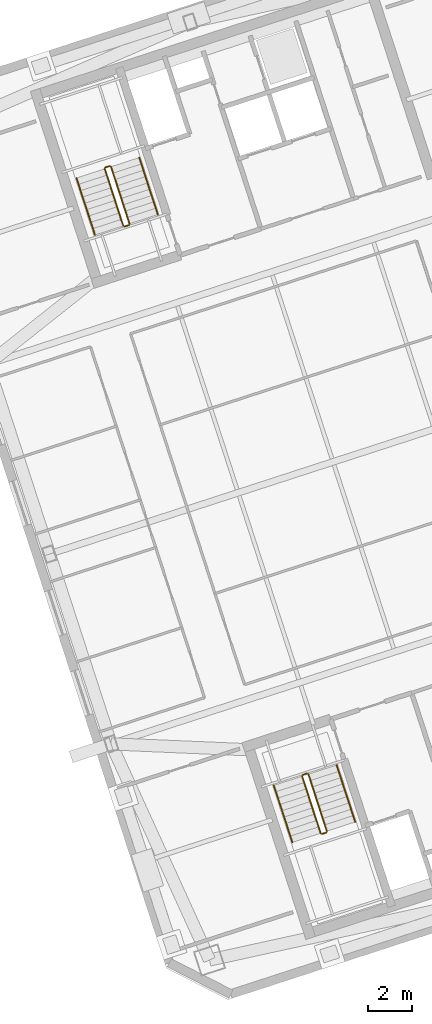
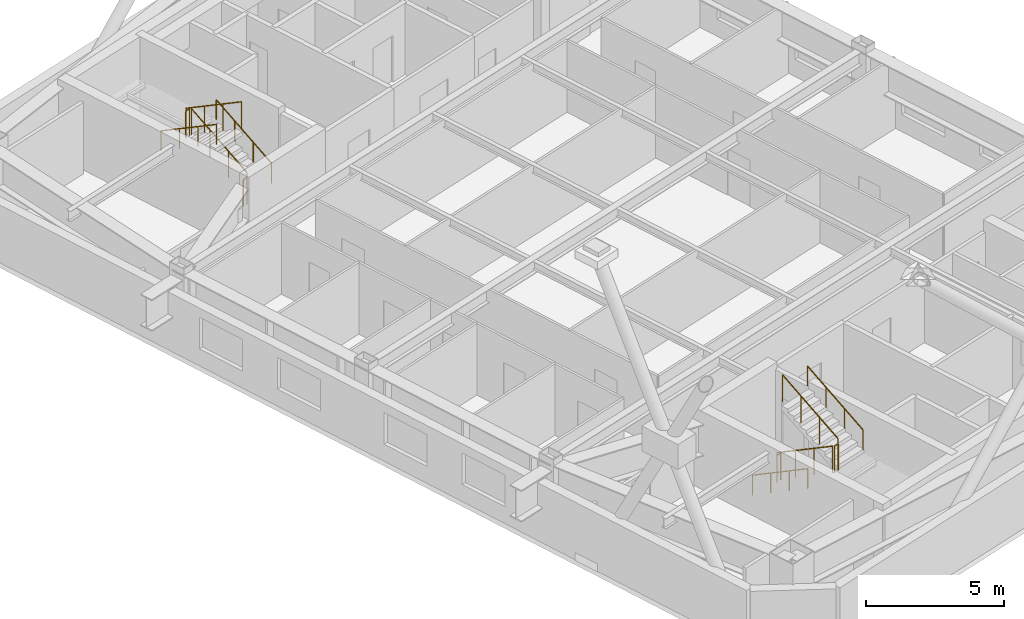
# One storey, part 14 of 15: 12 railings.
"""IFC4 building model written with IfcOpenShell, lengths in metres."""

from ifc_helpers import new_model, si_unit, direction, frame, origin, origin_2d, place, context, subcontext, project, spatial, circle, extrude, material, type_object, element, save


model = new_model("IFC4")

# Units and contexts
model_context = context("Model", 3, precision=1e-05, world=origin(), true_north=direction((0.0, 1.0)))
body_context = subcontext(model_context, "Body", "Model", "MODEL_VIEW")
ifc_project = project(units=[si_unit("LENGTHUNIT", "METRE"), si_unit("AREAUNIT", "SQUARE_METRE"), si_unit("VOLUMEUNIT", "CUBIC_METRE"), si_unit("PLANEANGLEUNIT", "RADIAN"), si_unit("MASSUNIT", "GRAM", prefix="KILO")], contexts=[model_context])

# Site, building, storey
site_placement = place(None, origin())
site = spatial("IfcSite", under=ifc_project, at=site_placement, CompositionType="ELEMENT")
building_placement = place(site_placement, origin())
building = spatial("IfcBuilding", under=site, at=building_placement, Name="Qiaolan Cultural Towers", CompositionType="ELEMENT")
storey_placement = place(building_placement, frame((0.0, 0.0, 212.75)))
storey = spatial("IfcBuildingStorey", under=building, at=storey_placement, Name="L57", CompositionType="ELEMENT", Elevation=212.75)

# Railings
ifc_material_1 = material(Name="Galvanized Painted Steel Stair Guardrail", Category="steel")
railing_type_1 = type_object("IfcRailingType", Name="RL-STAIR-GRD", PredefinedType="GUARDRAIL", material=ifc_material_1)
railing_1_placement = place(storey_placement, frame((88.60205078125, 19.82421875, 0.172607421875)))
element("IfcRailing", 1, at=railing_1_placement, inside=storey, type_object=railing_type_1, Name="L57 ST-E1 stair guard 1", PredefinedType="GUARDRAIL", context=body_context, shape_type="SweptSolid", body=[
    extrude(circle(Radius=0.02392578125, at=origin_2d()), frame((0.0, 0.0, 1.17578125), z_axis=(0.267925668498, -0.824471088726, 0.498460891159), x_axis=(0.951043371037, 0.309057448393, 0.0)), (0.0, 0.0, 1.0), 3.114501953125),
    extrude(circle(Radius=0.02099609375, at=origin_2d()), origin(), (0.0, 0.0, 1.0), 1.15185546875),
    extrude(circle(Radius=0.02099609375, at=origin_2d()), frame((0.278076171875, -0.85595703125, 0.517578125)), (0.0, 0.0, 1.0), 1.15185546875),
    extrude(circle(Radius=0.02099609375, at=origin_2d()), frame((0.556396484375, -1.7119140625, 1.034912109375)), (0.0, 0.0, 1.0), 1.15185546875),
    extrude(circle(Radius=0.02099609375, at=origin_2d()), frame((0.83447265625, -2.56787109375, 1.552490234375)), (0.0, 0.0, 1.0), 1.15185546875),
])
railing_2_placement = place(storey_placement, frame((89.49951171875, 17.224365234375, 1.72509765625)))
element("IfcRailing", 2, at=railing_2_placement, inside=storey, type_object=railing_type_1, Name="L57 ST-E1 stair guard 2", PredefinedType="GUARDRAIL", context=body_context, shape_type="SweptSolid", body=[
    extrude(circle(Radius=0.02392578125, at=origin_2d()), frame((0.0, 0.0, 1.17578125), z_axis=(0.951096855055, 0.308892816854, 0.0), x_axis=(-0.308892816854, 0.951096855055, 0.0)), (0.0, 0.0, 1.0), 0.199951171875),
    extrude(circle(Radius=0.02099609375, at=origin_2d()), origin(), (0.0, 0.0, 1.0), 1.15185546875),
    extrude(circle(Radius=0.02099609375, at=origin_2d()), frame((0.190185546875, 0.061767578125, 0.0)), (0.0, 0.0, 1.0), 1.15185546875),
])
railing_3_placement = place(storey_placement, frame((89.721923828125, 17.34912109375, 1.8974609375)))
element("IfcRailing", 3, at=railing_3_placement, inside=storey, type_object=railing_type_1, Name="L57 ST-E1 stair guard 3", PredefinedType="GUARDRAIL", context=body_context, shape_type="SweptSolid", body=[
    extrude(circle(Radius=0.02392578125, at=origin_2d()), frame((0.0, 0.0, 1.17578125), z_axis=(-0.267925668498, 0.824471088726, 0.498460891159), x_axis=(-0.951043371037, -0.309057448393, 0.0)), (0.0, 0.0, 1.0), 3.114501953125),
    extrude(circle(Radius=0.02099609375, at=origin_2d()), origin(), (0.0, 0.0, 1.0), 1.15185546875),
    extrude(circle(Radius=0.02099609375, at=origin_2d()), frame((-0.278076171875, 0.85595703125, 0.517578125)), (0.0, 0.0, 1.0), 1.15185546875),
    extrude(circle(Radius=0.02099609375, at=origin_2d()), frame((-0.556396484375, 1.7119140625, 1.034912109375)), (0.0, 0.0, 1.0), 1.15185546875),
    extrude(circle(Radius=0.02099609375, at=origin_2d()), frame((-0.83447265625, 2.56787109375, 1.552490234375)), (0.0, 0.0, 1.0), 1.15185546875),
])
railing_4_placement = place(storey_placement, frame((88.63427734375, 19.88720703125, 0.0)))
element("IfcRailing", 4, at=railing_4_placement, inside=storey, type_object=railing_type_1, Name="L57 ST-E1 stair guard 4", PredefinedType="GUARDRAIL", context=body_context, shape_type="SweptSolid", body=[
    extrude(circle(Radius=0.02392578125, at=origin_2d()), frame((0.0, 0.0, 1.17578125), z_axis=(0.951096855055, 0.308892816854, 0.0), x_axis=(-0.308892816854, 0.951096855055, 0.0)), (0.0, 0.0, 1.0), 0.199951171875),
    extrude(circle(Radius=0.02099609375, at=origin_2d()), origin(), (0.0, 0.0, 1.0), 1.15185546875),
    extrude(circle(Radius=0.02099609375, at=origin_2d()), frame((0.190185546875, 0.061767578125, 0.0)), (0.0, 0.0, 1.0), 1.15185546875),
])
railing_5_placement = place(storey_placement, frame((80.822021484375, 44.739501953125, 0.172607421875)))
element("IfcRailing", 5, at=railing_5_placement, inside=storey, type_object=railing_type_1, Name="L57 ST-E2 stair guard 1", PredefinedType="GUARDRAIL", context=body_context, shape_type="SweptSolid", body=[
    extrude(circle(Radius=0.02392578125, at=origin_2d()), frame((0.0, 0.0, 1.17578125), z_axis=(-0.26785290645, 0.824488402118, 0.498471358535), x_axis=(-0.951069945308, -0.308975661068, 0.0)), (0.0, 0.0, 1.0), 3.114501953125),
    extrude(circle(Radius=0.02099609375, at=origin_2d()), origin(), (0.0, 0.0, 1.0), 1.15185546875),
    extrude(circle(Radius=0.02099609375, at=origin_2d()), frame((-0.278076171875, 0.85595703125, 0.517578125)), (0.0, 0.0, 1.0), 1.15185546875),
    extrude(circle(Radius=0.02099609375, at=origin_2d()), frame((-0.55615234375, 1.7119140625, 1.034912109375)), (0.0, 0.0, 1.0), 1.15185546875),
    extrude(circle(Radius=0.02099609375, at=origin_2d()), frame((-0.834228515625, 2.56787109375, 1.552490234375)), (0.0, 0.0, 1.0), 1.15185546875),
])
railing_6_placement = place(storey_placement, frame((79.9248046875, 47.33935546875, 1.72509765625)))
element("IfcRailing", 6, at=railing_6_placement, inside=storey, type_object=railing_type_1, Name="L57 ST-E2 stair guard 2", PredefinedType="GUARDRAIL", context=body_context, shape_type="SweptSolid", body=[
    extrude(circle(Radius=0.02392578125, at=origin_2d()), frame((0.0, 0.0, 1.17578125), z_axis=(-0.951096855055, -0.308892816854, 0.0), x_axis=(0.308892816854, -0.951096855055, 0.0)), (0.0, 0.0, 1.0), 0.199951171875),
    extrude(circle(Radius=0.02099609375, at=origin_2d()), origin(), (0.0, 0.0, 1.0), 1.15185546875),
    extrude(circle(Radius=0.02099609375, at=origin_2d()), frame((-0.190185546875, -0.061767578125, 0.0)), (0.0, 0.0, 1.0), 1.15185546875),
])
railing_7_placement = place(storey_placement, frame((79.702392578125, 47.214599609375, 1.8974609375)))
element("IfcRailing", 7, at=railing_7_placement, inside=storey, type_object=railing_type_1, Name="L57 ST-E2 stair guard 3", PredefinedType="GUARDRAIL", context=body_context, shape_type="SweptSolid", body=[
    extrude(circle(Radius=0.02392578125, at=origin_2d()), frame((0.0, 0.0, 1.17578125), z_axis=(0.267925668498, -0.824471088726, 0.498460891159), x_axis=(0.951043371037, 0.309057448393, 0.0)), (0.0, 0.0, 1.0), 3.114501953125),
    extrude(circle(Radius=0.02099609375, at=origin_2d()), origin(), (0.0, 0.0, 1.0), 1.15185546875),
    extrude(circle(Radius=0.02099609375, at=origin_2d()), frame((0.278076171875, -0.85595703125, 0.517578125)), (0.0, 0.0, 1.0), 1.15185546875),
    extrude(circle(Radius=0.02099609375, at=origin_2d()), frame((0.556396484375, -1.7119140625, 1.034912109375)), (0.0, 0.0, 1.0), 1.15185546875),
    extrude(circle(Radius=0.02099609375, at=origin_2d()), frame((0.83447265625, -2.56787109375, 1.552490234375)), (0.0, 0.0, 1.0), 1.15185546875),
])
railing_8_placement = place(storey_placement, frame((80.7900390625, 44.676513671875, 0.0)))
element("IfcRailing", 8, at=railing_8_placement, inside=storey, type_object=railing_type_1, Name="L57 ST-E2 stair guard 4", PredefinedType="GUARDRAIL", context=body_context, shape_type="SweptSolid", body=[
    extrude(circle(Radius=0.02392578125, at=origin_2d()), frame((0.0, 0.0, 1.17578125), z_axis=(-0.951096855055, -0.308892816854, 0.0), x_axis=(0.308892816854, -0.951096855055, 0.0)), (0.0, 0.0, 1.0), 0.199951171875),
    extrude(circle(Radius=0.02099609375, at=origin_2d()), origin(), (0.0, 0.0, 1.0), 1.15185546875),
    extrude(circle(Radius=0.02099609375, at=origin_2d()), frame((-0.190185546875, -0.061767578125, 0.0)), (0.0, 0.0, 1.0), 1.15185546875),
])
ifc_material_2 = material(Name="Stainless Steel S30408 Tubular Handrail", Category="steel")
railing_type_2 = type_object("IfcRailingType", Name="RL-STAIR-HR", PredefinedType="HANDRAIL", material=ifc_material_2)
railing_9_placement = place(storey_placement, frame((87.32763671875, 19.41015625, 0.172607421875)))
element("IfcRailing", 9, at=railing_9_placement, inside=storey, type_object=railing_type_2, Name="L57 ST-E1 stair handrail 1", PredefinedType="HANDRAIL", context=body_context, shape_type="SweptSolid", body=[
    extrude(circle(Radius=0.02392578125, at=origin_2d()), frame((0.0, 0.0, 0.8759765625), z_axis=(0.267925668498, -0.824471088726, 0.498460891159), x_axis=(0.951043371037, 0.309057448393, 0.0)), (0.0, 0.0, 1.0), 3.114501953125),
    extrude(circle(Radius=0.02099609375, at=origin_2d()), origin(), (0.0, 0.0, 1.0), 0.851806640625),
    extrude(circle(Radius=0.02099609375, at=origin_2d()), frame((0.278076171875, -0.85595703125, 0.517578125)), (0.0, 0.0, 1.0), 0.851806640625),
    extrude(circle(Radius=0.02099609375, at=origin_2d()), frame((0.556396484375, -1.7119140625, 1.034912109375)), (0.0, 0.0, 1.0), 0.851806640625),
    extrude(circle(Radius=0.02099609375, at=origin_2d()), frame((0.83447265625, -2.56787109375, 1.552490234375)), (0.0, 0.0, 1.0), 0.851806640625),
])
railing_10_placement = place(storey_placement, frame((90.996337890625, 17.76318359375, 1.8974609375)))
element("IfcRailing", 10, at=railing_10_placement, inside=storey, type_object=railing_type_2, Name="L57 ST-E1 stair handrail 2", PredefinedType="HANDRAIL", context=body_context, shape_type="SweptSolid", body=[
    extrude(circle(Radius=0.02392578125, at=origin_2d()), frame((0.0, 0.0, 0.8759765625), z_axis=(-0.267925668498, 0.824471088726, 0.498460891159), x_axis=(-0.951043371037, -0.309057448393, 0.0)), (0.0, 0.0, 1.0), 3.114501953125),
    extrude(circle(Radius=0.02099609375, at=origin_2d()), origin(), (0.0, 0.0, 1.0), 0.851806640625),
    extrude(circle(Radius=0.02099609375, at=origin_2d()), frame((-0.278076171875, 0.85595703125, 0.517578125)), (0.0, 0.0, 1.0), 0.851806640625),
    extrude(circle(Radius=0.02099609375, at=origin_2d()), frame((-0.556396484375, 1.7119140625, 1.034912109375)), (0.0, 0.0, 1.0), 0.851806640625),
    extrude(circle(Radius=0.02099609375, at=origin_2d()), frame((-0.83447265625, 2.56787109375, 1.552490234375)), (0.0, 0.0, 1.0), 0.851806640625),
])
railing_11_placement = place(storey_placement, frame((82.096435546875, 45.153564453125, 0.172607421875)))
element("IfcRailing", 11, at=railing_11_placement, inside=storey, type_object=railing_type_2, Name="L57 ST-E2 stair handrail 1", PredefinedType="HANDRAIL", context=body_context, shape_type="SweptSolid", body=[
    extrude(circle(Radius=0.02392578125, at=origin_2d()), frame((0.0, 0.0, 0.8759765625), z_axis=(-0.26785290645, 0.824488402118, 0.498471358535), x_axis=(-0.951069945308, -0.308975661068, 0.0)), (0.0, 0.0, 1.0), 3.114501953125),
    extrude(circle(Radius=0.02099609375, at=origin_2d()), origin(), (0.0, 0.0, 1.0), 0.851806640625),
    extrude(circle(Radius=0.02099609375, at=origin_2d()), frame((-0.278076171875, 0.85595703125, 0.517578125)), (0.0, 0.0, 1.0), 0.851806640625),
    extrude(circle(Radius=0.02099609375, at=origin_2d()), frame((-0.55615234375, 1.7119140625, 1.034912109375)), (0.0, 0.0, 1.0), 0.851806640625),
    extrude(circle(Radius=0.02099609375, at=origin_2d()), frame((-0.834228515625, 2.56787109375, 1.552490234375)), (0.0, 0.0, 1.0), 0.851806640625),
])
railing_12_placement = place(storey_placement, frame((78.427978515625, 46.800537109375, 1.8974609375)))
element("IfcRailing", 12, at=railing_12_placement, inside=storey, type_object=railing_type_2, Name="L57 ST-E2 stair handrail 2", PredefinedType="HANDRAIL", context=body_context, shape_type="SweptSolid", body=[
    extrude(circle(Radius=0.02392578125, at=origin_2d()), frame((0.0, 0.0, 0.8759765625), z_axis=(0.267925668498, -0.824471088726, 0.498460891159), x_axis=(0.951043371037, 0.309057448393, 0.0)), (0.0, 0.0, 1.0), 3.114501953125),
    extrude(circle(Radius=0.02099609375, at=origin_2d()), origin(), (0.0, 0.0, 1.0), 0.851806640625),
    extrude(circle(Radius=0.02099609375, at=origin_2d()), frame((0.278076171875, -0.85595703125, 0.517578125)), (0.0, 0.0, 1.0), 0.851806640625),
    extrude(circle(Radius=0.02099609375, at=origin_2d()), frame((0.556396484375, -1.7119140625, 1.034912109375)), (0.0, 0.0, 1.0), 0.851806640625),
    extrude(circle(Radius=0.02099609375, at=origin_2d()), frame((0.83447265625, -2.56787109375, 1.552490234375)), (0.0, 0.0, 1.0), 0.851806640625),
])

save(model, "model.ifc")
